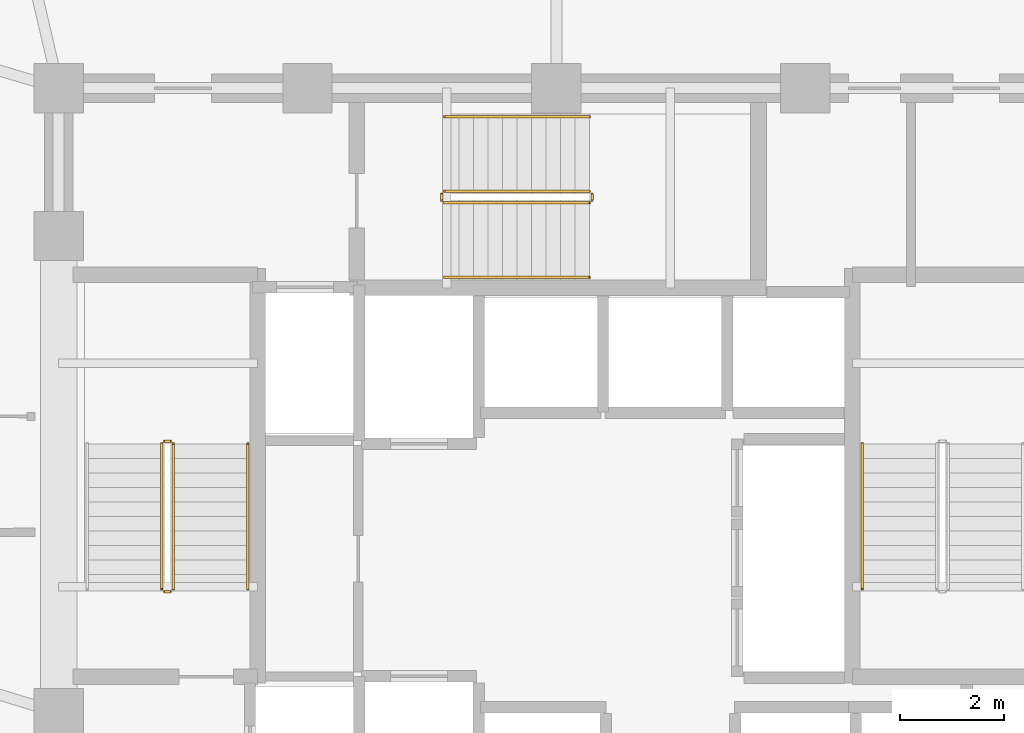
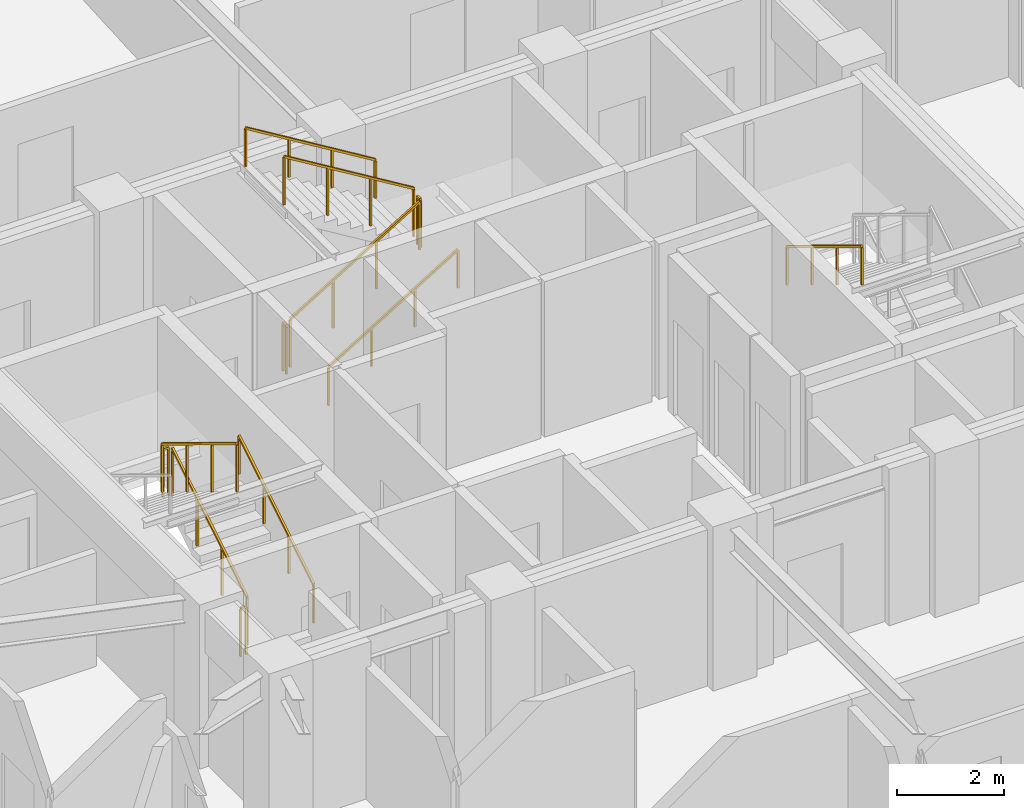
# One storey, part 27 of 29: 12 railings.
"""IFC4 building model written with IfcOpenShell, lengths in metres."""

from ifc_helpers import new_model, si_unit, direction, frame, origin, origin_2d, place, context, subcontext, project, spatial, rectangle, extrude, material, type_object, element, save


model = new_model("IFC4")

# Units and contexts
model_context = context("Model", 3, precision=1e-05, world=origin(), true_north=direction((0.0, 1.0)))
body_context = subcontext(model_context, "Body", "Model", "MODEL_VIEW")
ifc_project = project(units=[si_unit("LENGTHUNIT", "METRE"), si_unit("AREAUNIT", "SQUARE_METRE"), si_unit("VOLUMEUNIT", "CUBIC_METRE"), si_unit("PLANEANGLEUNIT", "RADIAN"), si_unit("MASSUNIT", "GRAM", prefix="KILO")], contexts=[model_context])

# Site, building, storey
site_placement = place(None, origin())
site = spatial("IfcSite", under=ifc_project, at=site_placement, CompositionType="ELEMENT")
building_placement = place(site_placement, origin())
building = spatial("IfcBuilding", under=site, at=building_placement, Name="Vantalir Tower", CompositionType="ELEMENT")
storey_placement = place(building_placement, frame((0.0, 0.0, 164.699951171875)))
storey = spatial("IfcBuildingStorey", under=building, at=storey_placement, Name="L41", CompositionType="ELEMENT", Elevation=164.699951171875)

# Railings
ifc_material_1 = material(Name="Anodised aluminium and stainless steel guard", Category="steel")
railing_type_1 = type_object("IfcRailingType", Name="RAL-GUARD-1120", PredefinedType="GUARDRAIL", material=ifc_material_1)
railing_1_placement = place(storey_placement, frame((24.110107421875, 22.7900390625, 0.17041015625)))
element("IfcRailing", 1, at=railing_1_placement, inside=storey, type_object=railing_type_1, Name="L41 ST1 stair guard 1", PredefinedType="GUARDRAIL", context=body_context, shape_type="SweptSolid", body=[
    extrude(rectangle(XDim=0.048095703125, YDim=0.048095703125, at=origin_2d()), frame((0.0, 0.0, 1.09619140625), z_axis=(0.0, 0.854169791009, 0.51999420009), x_axis=(-1.0, 0.0, 0.0)), (0.0, 0.0, 1.0), 3.278076171875),
    extrude(rectangle(XDim=0.0419921875, YDim=0.0419921875, at=origin_2d()), origin(), (0.0, 0.0, 1.0), 1.072021484375),
    extrude(rectangle(XDim=0.0419921875, YDim=0.0419921875, at=origin_2d()), frame((0.0, 0.933349609375, 0.568115234375)), (0.0, 0.0, 1.0), 1.072021484375),
    extrude(rectangle(XDim=0.0419921875, YDim=0.0419921875, at=origin_2d()), frame((0.0, 1.86669921875, 1.136474609375)), (0.0, 0.0, 1.0), 1.072021484375),
    extrude(rectangle(XDim=0.0419921875, YDim=0.0419921875, at=origin_2d()), frame((0.0, 2.800048828125, 1.70458984375)), (0.0, 0.0, 1.0), 1.072021484375),
])
railing_2_placement = place(storey_placement, frame((24.06005859375, 25.639892578125, 1.875)))
element("IfcRailing", 2, at=railing_2_placement, inside=storey, type_object=railing_type_1, Name="L41 ST1 stair guard 2", PredefinedType="GUARDRAIL", context=body_context, shape_type="SweptSolid", body=[
    extrude(rectangle(XDim=0.048095703125, YDim=0.048095703125, at=origin_2d()), frame((0.0, 0.0, 1.09619140625), z_axis=(-1.0, 0.0, 0.0), x_axis=(0.0, -1.0, 0.0)), (0.0, 0.0, 1.0), 0.1201171875),
    extrude(rectangle(XDim=0.0419921875, YDim=0.0419921875, at=origin_2d()), origin(), (0.0, 0.0, 1.0), 1.072021484375),
    extrude(rectangle(XDim=0.0419921875, YDim=0.0419921875, at=origin_2d()), frame((-0.1201171875, 0.0, 0.0)), (0.0, 0.0, 1.0), 1.072021484375),
])
railing_3_placement = place(storey_placement, frame((23.889892578125, 25.590087890625, 2.04541015625)))
element("IfcRailing", 3, at=railing_3_placement, inside=storey, type_object=railing_type_1, Name="L41 ST1 stair guard 3", PredefinedType="GUARDRAIL", context=body_context, shape_type="SweptSolid", body=[
    extrude(rectangle(XDim=0.048095703125, YDim=0.048095703125, at=origin_2d()), frame((0.0, 0.0, 1.09619140625), z_axis=(0.0, -0.854169791009, 0.51999420009), x_axis=(1.0, 0.0, 0.0)), (0.0, 0.0, 1.0), 3.278076171875),
    extrude(rectangle(XDim=0.0419921875, YDim=0.0419921875, at=origin_2d()), origin(), (0.0, 0.0, 1.0), 1.072021484375),
    extrude(rectangle(XDim=0.0419921875, YDim=0.0419921875, at=origin_2d()), frame((0.0, -0.933349609375, 0.568115234375)), (0.0, 0.0, 1.0), 1.072021484375),
    extrude(rectangle(XDim=0.0419921875, YDim=0.0419921875, at=origin_2d()), frame((0.0, -1.86669921875, 1.136474609375)), (0.0, 0.0, 1.0), 1.072021484375),
    extrude(rectangle(XDim=0.0419921875, YDim=0.0419921875, at=origin_2d()), frame((0.0, -2.800048828125, 1.70458984375)), (0.0, 0.0, 1.0), 1.072021484375),
])
railing_4_placement = place(storey_placement, frame((24.06005859375, 22.739990234375, 0.0)))
element("IfcRailing", 4, at=railing_4_placement, inside=storey, type_object=railing_type_1, Name="L41 ST1 stair guard 4", PredefinedType="GUARDRAIL", context=body_context, shape_type="SweptSolid", body=[
    extrude(rectangle(XDim=0.048095703125, YDim=0.048095703125, at=origin_2d()), frame((0.0, 0.0, 1.09619140625), z_axis=(-1.0, 0.0, 0.0), x_axis=(0.0, -1.0, 0.0)), (0.0, 0.0, 1.0), 0.1201171875),
    extrude(rectangle(XDim=0.0419921875, YDim=0.0419921875, at=origin_2d()), origin(), (0.0, 0.0, 1.0), 1.072021484375),
    extrude(rectangle(XDim=0.0419921875, YDim=0.0419921875, at=origin_2d()), frame((-0.1201171875, 0.0, 0.0)), (0.0, 0.0, 1.0), 1.072021484375),
])
railing_5_placement = place(storey_placement, frame((29.340087890625, 30.239990234375, 0.17041015625)))
element("IfcRailing", 5, at=railing_5_placement, inside=storey, type_object=railing_type_1, Name="L41 ST3 stair guard 1", PredefinedType="GUARDRAIL", context=body_context, shape_type="SweptSolid", body=[
    extrude(rectangle(XDim=0.048095703125, YDim=0.048095703125, at=origin_2d()), frame((0.0, 0.0, 1.09619140625), z_axis=(0.854149651119, 0.0, 0.520027281489), x_axis=(0.0, 1.0, 0.0)), (0.0, 0.0, 1.0), 3.27783203125),
    extrude(rectangle(XDim=0.0419921875, YDim=0.0419921875, at=origin_2d()), origin(), (0.0, 0.0, 1.0), 1.072021484375),
    extrude(rectangle(XDim=0.0419921875, YDim=0.0419921875, at=origin_2d()), frame((0.933349609375, 0.0, 0.568115234375)), (0.0, 0.0, 1.0), 1.072021484375),
    extrude(rectangle(XDim=0.0419921875, YDim=0.0419921875, at=origin_2d()), frame((1.866455078125, 0.0, 1.136474609375)), (0.0, 0.0, 1.0), 1.072021484375),
    extrude(rectangle(XDim=0.0419921875, YDim=0.0419921875, at=origin_2d()), frame((2.7998046875, 0.0, 1.70458984375)), (0.0, 0.0, 1.0), 1.072021484375),
])
railing_6_placement = place(storey_placement, frame((32.18994140625, 30.2900390625, 1.875)))
element("IfcRailing", 6, at=railing_6_placement, inside=storey, type_object=railing_type_1, Name="L41 ST3 stair guard 2", PredefinedType="GUARDRAIL", context=body_context, shape_type="SweptSolid", body=[
    extrude(rectangle(XDim=0.048095703125, YDim=0.048095703125, at=origin_2d()), frame((0.0, 0.0, 1.09619140625), z_axis=(0.0, 1.0, 0.0), x_axis=(-1.0, 0.0, 0.0)), (0.0, 0.0, 1.0), 0.119873046875),
    extrude(rectangle(XDim=0.0419921875, YDim=0.0419921875, at=origin_2d()), origin(), (0.0, 0.0, 1.0), 1.072021484375),
    extrude(rectangle(XDim=0.0419921875, YDim=0.0419921875, at=origin_2d()), frame((0.0, 0.119873046875, 0.0)), (0.0, 0.0, 1.0), 1.072021484375),
])
railing_7_placement = place(storey_placement, frame((32.139892578125, 30.4599609375, 2.04541015625)))
element("IfcRailing", 7, at=railing_7_placement, inside=storey, type_object=railing_type_1, Name="L41 ST3 stair guard 3", PredefinedType="GUARDRAIL", context=body_context, shape_type="SweptSolid", body=[
    extrude(rectangle(XDim=0.048095703125, YDim=0.048095703125, at=origin_2d()), frame((0.0, 0.0, 1.09619140625), z_axis=(-0.854149651119, 0.0, 0.520027281489), x_axis=(0.0, -1.0, 0.0)), (0.0, 0.0, 1.0), 3.27783203125),
    extrude(rectangle(XDim=0.0419921875, YDim=0.0419921875, at=origin_2d()), origin(), (0.0, 0.0, 1.0), 1.072021484375),
    extrude(rectangle(XDim=0.0419921875, YDim=0.0419921875, at=origin_2d()), frame((-0.933349609375, 0.0, 0.568115234375)), (0.0, 0.0, 1.0), 1.072021484375),
    extrude(rectangle(XDim=0.0419921875, YDim=0.0419921875, at=origin_2d()), frame((-1.866455078125, 0.0, 1.136474609375)), (0.0, 0.0, 1.0), 1.072021484375),
    extrude(rectangle(XDim=0.0419921875, YDim=0.0419921875, at=origin_2d()), frame((-2.7998046875, 0.0, 1.70458984375)), (0.0, 0.0, 1.0), 1.072021484375),
])
railing_8_placement = place(storey_placement, frame((29.2900390625, 30.2900390625, 0.0)))
element("IfcRailing", 8, at=railing_8_placement, inside=storey, type_object=railing_type_1, Name="L41 ST3 stair guard 4", PredefinedType="GUARDRAIL", context=body_context, shape_type="SweptSolid", body=[
    extrude(rectangle(XDim=0.048095703125, YDim=0.048095703125, at=origin_2d()), frame((0.0, 0.0, 1.09619140625), z_axis=(0.0, 1.0, 0.0), x_axis=(-1.0, 0.0, 0.0)), (0.0, 0.0, 1.0), 0.119873046875),
    extrude(rectangle(XDim=0.0419921875, YDim=0.0419921875, at=origin_2d()), origin(), (0.0, 0.0, 1.0), 1.072021484375),
    extrude(rectangle(XDim=0.0419921875, YDim=0.0419921875, at=origin_2d()), frame((0.0, 0.119873046875, 0.0)), (0.0, 0.0, 1.0), 1.072021484375),
])
ifc_material_2 = material(Name="Brushed stainless steel tubular handrail", Category="steel")
railing_type_2 = type_object("IfcRailingType", Name="RAL-HANDRAIL-900", PredefinedType="HANDRAIL", material=ifc_material_2)
railing_9_placement = place(storey_placement, frame((25.550048828125, 22.7900390625, 0.17041015625)))
element("IfcRailing", 9, at=railing_9_placement, inside=storey, type_object=railing_type_2, Name="L41 ST1 stair handrail 1", PredefinedType="HANDRAIL", context=body_context, shape_type="SweptSolid", body=[
    extrude(rectangle(XDim=0.048095703125, YDim=0.048095703125, at=origin_2d()), frame((0.0, 0.0, 0.8759765625), z_axis=(0.0, 0.854169791009, 0.51999420009), x_axis=(-1.0, 0.0, 0.0)), (0.0, 0.0, 1.0), 3.278076171875),
    extrude(rectangle(XDim=0.0419921875, YDim=0.0419921875, at=origin_2d()), origin(), (0.0, 0.0, 1.0), 0.851806640625),
    extrude(rectangle(XDim=0.0419921875, YDim=0.0419921875, at=origin_2d()), frame((0.0, 0.933349609375, 0.568115234375)), (0.0, 0.0, 1.0), 0.851806640625),
    extrude(rectangle(XDim=0.0419921875, YDim=0.0419921875, at=origin_2d()), frame((0.0, 1.86669921875, 1.136474609375)), (0.0, 0.0, 1.0), 0.851806640625),
    extrude(rectangle(XDim=0.0419921875, YDim=0.0419921875, at=origin_2d()), frame((0.0, 2.800048828125, 1.70458984375)), (0.0, 0.0, 1.0), 0.851806640625),
])
railing_10_placement = place(storey_placement, frame((37.39990234375, 25.590087890625, 2.04541015625)))
element("IfcRailing", 10, at=railing_10_placement, inside=storey, type_object=railing_type_2, Name="L41 ST2 stair handrail 2", PredefinedType="HANDRAIL", context=body_context, shape_type="SweptSolid", body=[
    extrude(rectangle(XDim=0.048095703125, YDim=0.048095703125, at=origin_2d()), frame((0.0, 0.0, 0.8759765625), z_axis=(0.0, -0.854169791009, 0.51999420009), x_axis=(1.0, 0.0, 0.0)), (0.0, 0.0, 1.0), 3.278076171875),
    extrude(rectangle(XDim=0.0419921875, YDim=0.0419921875, at=origin_2d()), origin(), (0.0, 0.0, 1.0), 0.851806640625),
    extrude(rectangle(XDim=0.0419921875, YDim=0.0419921875, at=origin_2d()), frame((0.0, -0.933349609375, 0.568115234375)), (0.0, 0.0, 1.0), 0.851806640625),
    extrude(rectangle(XDim=0.0419921875, YDim=0.0419921875, at=origin_2d()), frame((0.0, -1.86669921875, 1.136474609375)), (0.0, 0.0, 1.0), 0.851806640625),
    extrude(rectangle(XDim=0.0419921875, YDim=0.0419921875, at=origin_2d()), frame((0.0, -2.800048828125, 1.70458984375)), (0.0, 0.0, 1.0), 0.851806640625),
])
railing_11_placement = place(storey_placement, frame((29.340087890625, 28.800048828125, 0.17041015625)))
element("IfcRailing", 11, at=railing_11_placement, inside=storey, type_object=railing_type_2, Name="L41 ST3 stair handrail 1", PredefinedType="HANDRAIL", context=body_context, shape_type="SweptSolid", body=[
    extrude(rectangle(XDim=0.048095703125, YDim=0.048095703125, at=origin_2d()), frame((0.0, 0.0, 0.8759765625), z_axis=(0.854149651119, 0.0, 0.520027281489), x_axis=(0.0, 1.0, 0.0)), (0.0, 0.0, 1.0), 3.27783203125),
    extrude(rectangle(XDim=0.0419921875, YDim=0.0419921875, at=origin_2d()), origin(), (0.0, 0.0, 1.0), 0.851806640625),
    extrude(rectangle(XDim=0.0419921875, YDim=0.0419921875, at=origin_2d()), frame((0.933349609375, 0.0, 0.568115234375)), (0.0, 0.0, 1.0), 0.851806640625),
    extrude(rectangle(XDim=0.0419921875, YDim=0.0419921875, at=origin_2d()), frame((1.866455078125, 0.0, 1.136474609375)), (0.0, 0.0, 1.0), 0.851806640625),
    extrude(rectangle(XDim=0.0419921875, YDim=0.0419921875, at=origin_2d()), frame((2.7998046875, 0.0, 1.70458984375)), (0.0, 0.0, 1.0), 0.851806640625),
])
railing_12_placement = place(storey_placement, frame((32.139892578125, 31.89990234375, 2.04541015625)))
element("IfcRailing", 12, at=railing_12_placement, inside=storey, type_object=railing_type_2, Name="L41 ST3 stair handrail 2", PredefinedType="HANDRAIL", context=body_context, shape_type="SweptSolid", body=[
    extrude(rectangle(XDim=0.048095703125, YDim=0.048095703125, at=origin_2d()), frame((0.0, 0.0, 0.8759765625), z_axis=(-0.854149651119, 0.0, 0.520027281489), x_axis=(0.0, -1.0, 0.0)), (0.0, 0.0, 1.0), 3.27783203125),
    extrude(rectangle(XDim=0.0419921875, YDim=0.0419921875, at=origin_2d()), origin(), (0.0, 0.0, 1.0), 0.851806640625),
    extrude(rectangle(XDim=0.0419921875, YDim=0.0419921875, at=origin_2d()), frame((-0.933349609375, 0.0, 0.568115234375)), (0.0, 0.0, 1.0), 0.851806640625),
    extrude(rectangle(XDim=0.0419921875, YDim=0.0419921875, at=origin_2d()), frame((-1.866455078125, 0.0, 1.136474609375)), (0.0, 0.0, 1.0), 0.851806640625),
    extrude(rectangle(XDim=0.0419921875, YDim=0.0419921875, at=origin_2d()), frame((-2.7998046875, 0.0, 1.70458984375)), (0.0, 0.0, 1.0), 0.851806640625),
])

save(model, "model.ifc")
